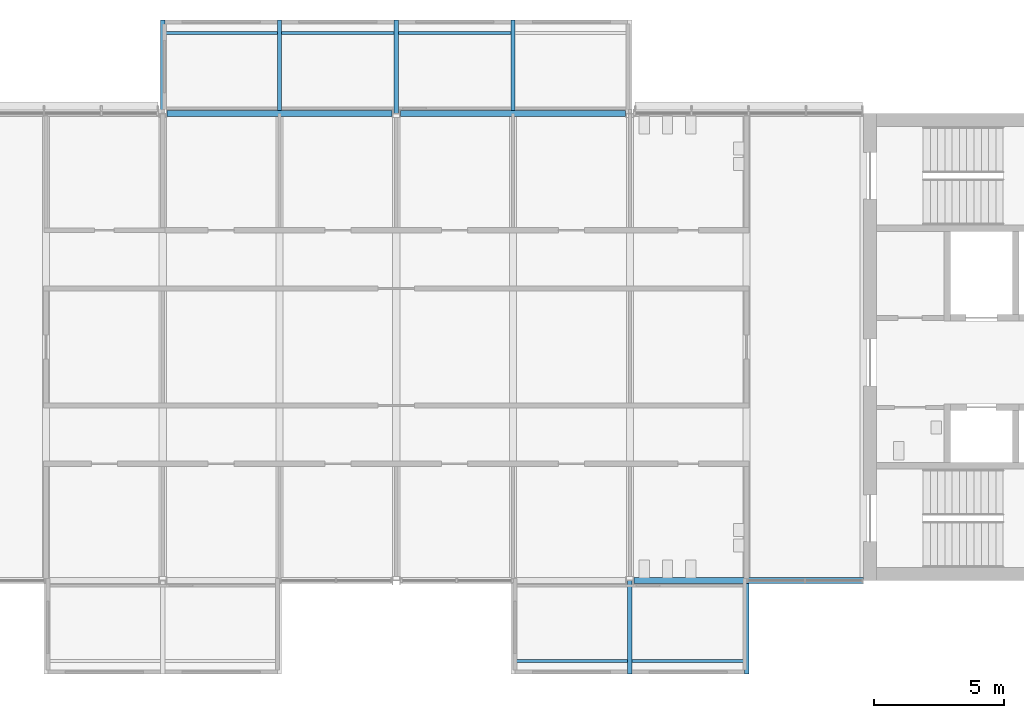
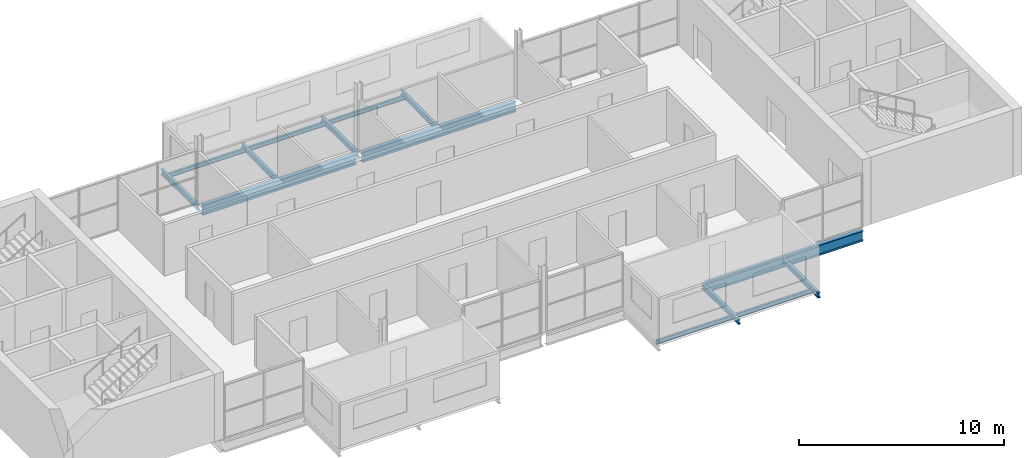
# One storey, part 2 of 10: 14 beams.
"""IFC4 building model written with IfcOpenShell, lengths in metres."""

from ifc_helpers import new_model, si_unit, direction, frame, origin, origin_2d, place, context, subcontext, project, spatial, i_section, extrude, material, material_profile, profile_set, type_object, element, save


model = new_model("IFC4")

# Units and contexts
model_context = context("Model", 3, precision=1e-05, world=origin(), true_north=direction((0.0, 1.0)))
body_context = subcontext(model_context, "Body", "Model", "MODEL_VIEW")
ifc_project = project(units=[si_unit("LENGTHUNIT", "METRE"), si_unit("AREAUNIT", "SQUARE_METRE"), si_unit("VOLUMEUNIT", "CUBIC_METRE"), si_unit("PLANEANGLEUNIT", "RADIAN"), si_unit("MASSUNIT", "GRAM", prefix="KILO")], contexts=[model_context])

# Site, building, storey
site_placement = place(None, origin())
site = spatial("IfcSite", under=ifc_project, at=site_placement, CompositionType="ELEMENT")
building_placement = place(site_placement, origin())
building = spatial("IfcBuilding", under=site, at=building_placement, Name="Corbel Yard City Hall", CompositionType="ELEMENT")
storey_placement = place(building_placement, frame((0.0, 0.0, 63.199951171875)))
storey = spatial("IfcBuildingStorey", under=building, at=storey_placement, Name="L15", CompositionType="ELEMENT", Elevation=63.199951171875)

# Beams
ifc_material = material(Name="Steel Grade 300 (300 MPa yield)", Category="steel")
ifc_material_profile_1 = material_profile(ifc_material, i_section(OverallWidth=0.22900390625, OverallDepth=0.612060546875, WebThickness=0.011962890625, FlangeThickness=0.01953125, at=origin_2d()), Name="610UB125")
ifc_profile_set_1 = profile_set([ifc_material_profile_1], Name="Steel Grade 300 (300 MPa yield)")
beam_type_1 = type_object("IfcBeamType", Name="Edge beam 610UB125", PredefinedType="BEAM", material=ifc_profile_set_1)
beam_1_placement = place(storey_placement, frame((36.16357421875, 99.0, -0.4560546875), z_axis=(1.0, 0.0, 0.0), x_axis=(0.0, 1.0, 0.0)))
element("IfcBeam", 1, at=beam_1_placement, inside=storey, type_object=beam_type_1, Name="Edge beam 610UB125 EB7 L15tower", PredefinedType="BEAM", context=body_context, shape_type="SweptSolid", body=[
    extrude(i_section(OverallWidth=0.22900390625, OverallDepth=0.612060546875, WebThickness=0.011962890625, FlangeThickness=0.01953125, at=origin_2d()), origin(), (0.0, 0.0, 1.0), 8.83642578125),
])
for number, where, z_axis, x_axis, name in (
    (2, (18.16357421875, 117.0, -0.4560546875), (1.0, 0.0, 0.0), (0.0, 1.0, 0.0), "Edge beam 610UB125 EB7 L15tower"),
    (3, (27.16357421875, 117.0, -0.4560546875), (1.0, 0.0, 0.0), (0.0, 1.0, 0.0), "Edge beam 610UB125 EB7 L15tower"),
):
    element("IfcBeam", number, at=place(storey_placement, frame(where, z_axis=z_axis, x_axis=x_axis)), inside=storey, type_object=beam_type_1, Name=name, PredefinedType="BEAM", context=body_context, shape_type="SweptSolid", body=[
        extrude(i_section(OverallWidth=0.22900390625, OverallDepth=0.612060546875, WebThickness=0.011962890625, FlangeThickness=0.01953125, at=origin_2d()), origin(), (0.0, 0.0, 1.0), 8.6728515625),
    ])
ifc_material_profile_2 = material_profile(ifc_material, i_section(OverallWidth=0.166015625, OverallDepth=0.306884765625, WebThickness=0.006591796875, FlangeThickness=0.01171875, at=origin_2d()), Name="310UB46.2")
ifc_profile_set_2 = profile_set([ifc_material_profile_2], Name="Steel Grade 300 (300 MPa yield)")
beam_type_2 = type_object("IfcBeamType", Name="Pod stub beam 310UB46.2", PredefinedType="BEAM", material=ifc_profile_set_2)
beam_2_placement = place(storey_placement, frame((36.0, 95.39990234375, -0.303466796875), z_axis=(0.0, 1.0, 0.0), x_axis=(-1.0, 0.0, 0.0)))
element("IfcBeam", 4, at=beam_2_placement, inside=storey, type_object=beam_type_2, Name="Pod stub 310UB46.2 CB1 L15", PredefinedType="BEAM", context=body_context, shape_type="SweptSolid", body=[
    extrude(i_section(OverallWidth=0.166015625, OverallDepth=0.306884765625, WebThickness=0.006591796875, FlangeThickness=0.01171875, at=origin_2d()), origin(), (0.0, 0.0, 1.0), 3.59423828125),
])
beam_3_placement = place(storey_placement, frame((40.5, 95.39990234375, -0.303466796875), z_axis=(0.0, 1.0, 0.0), x_axis=(-1.0, 0.0, 0.0)))
element("IfcBeam", 5, at=beam_3_placement, inside=storey, type_object=beam_type_2, Name="Pod stub 310UB46.2 CB1 L15", PredefinedType="BEAM", context=body_context, shape_type="SweptSolid", body=[
    extrude(i_section(OverallWidth=0.166015625, OverallDepth=0.306884765625, WebThickness=0.006591796875, FlangeThickness=0.01171875, at=origin_2d()), origin(), (0.0, 0.0, 1.0), 3.485595703125),
])
beam_4_placement = place(storey_placement, frame((18.0, 117.005859375, -0.303466796875), z_axis=(0.0, 1.0, 0.0), x_axis=(-1.0, 0.0, 0.0)))
element("IfcBeam", 6, at=beam_4_placement, inside=storey, type_object=beam_type_2, Name="Pod stub 310UB46.2 CB1 L15", PredefinedType="BEAM", context=body_context, shape_type="SweptSolid", body=[
    extrude(i_section(OverallWidth=0.166015625, OverallDepth=0.306884765625, WebThickness=0.006591796875, FlangeThickness=0.01171875, at=origin_2d()), origin(), (0.0, 0.0, 1.0), 3.59423828125),
])
beam_5_placement = place(storey_placement, frame((22.5, 117.114501953125, -0.303466796875), z_axis=(0.0, 1.0, 0.0), x_axis=(-1.0, 0.0, 0.0)))
element("IfcBeam", 7, at=beam_5_placement, inside=storey, type_object=beam_type_2, Name="Pod stub 310UB46.2 CB1 L15", PredefinedType="BEAM", context=body_context, shape_type="SweptSolid", body=[
    extrude(i_section(OverallWidth=0.166015625, OverallDepth=0.306884765625, WebThickness=0.006591796875, FlangeThickness=0.01171875, at=origin_2d()), origin(), (0.0, 0.0, 1.0), 3.485595703125),
])
beam_6_placement = place(storey_placement, frame((27.0, 117.005859375, -0.303466796875), z_axis=(0.0, 1.0, 0.0), x_axis=(-1.0, 0.0, 0.0)))
element("IfcBeam", 8, at=beam_6_placement, inside=storey, type_object=beam_type_2, Name="Pod stub 310UB46.2 CB1 L15", PredefinedType="BEAM", context=body_context, shape_type="SweptSolid", body=[
    extrude(i_section(OverallWidth=0.166015625, OverallDepth=0.306884765625, WebThickness=0.006591796875, FlangeThickness=0.01171875, at=origin_2d()), origin(), (0.0, 0.0, 1.0), 3.59423828125),
])
beam_7_placement = place(storey_placement, frame((31.5, 117.114501953125, -0.303466796875), z_axis=(0.0, 1.0, 0.0), x_axis=(-1.0, 0.0, 0.0)))
element("IfcBeam", 9, at=beam_7_placement, inside=storey, type_object=beam_type_2, Name="Pod stub 310UB46.2 CB1 L15", PredefinedType="BEAM", context=body_context, shape_type="SweptSolid", body=[
    extrude(i_section(OverallWidth=0.166015625, OverallDepth=0.306884765625, WebThickness=0.006591796875, FlangeThickness=0.01171875, at=origin_2d()), origin(), (0.0, 0.0, 1.0), 3.485595703125),
])
ifc_material_profile_3 = material_profile(ifc_material, i_section(OverallWidth=0.1240234375, OverallDepth=0.248046875, WebThickness=0.0048828125, FlangeThickness=0.008056640625, at=origin_2d()), Name="250UB25.7")
ifc_profile_set_3 = profile_set([ifc_material_profile_3], Name="Steel Grade 300 (300 MPa yield)")
beam_type_3 = type_object("IfcBeamType", Name="Pod tip beam", PredefinedType="BEAM", material=ifc_profile_set_3)
for number, where, z_axis, x_axis, name in (
    (10, (31.5830078125, 95.89990234375, -0.27392578125), (1.0, 0.0, 0.0), (0.0, 1.0, 0.0), "Pod tip beam"),
    (11, (36.0830078125, 95.89990234375, -0.27392578125), (1.0, 0.0, 0.0), (0.0, 1.0, 0.0), "Pod tip beam"),
    (12, (18.0830078125, 120.10009765625, -0.27392578125), (1.0, 0.0, 0.0), (0.0, 1.0, 0.0), "Pod tip beam"),
    (13, (22.5830078125, 120.10009765625, -0.27392578125), (1.0, 0.0, 0.0), (0.0, 1.0, 0.0), "Pod tip beam"),
    (14, (27.0830078125, 120.10009765625, -0.27392578125), (1.0, 0.0, 0.0), (0.0, 1.0, 0.0), "Pod tip beam"),
):
    element("IfcBeam", number, at=place(storey_placement, frame(where, z_axis=z_axis, x_axis=x_axis)), inside=storey, type_object=beam_type_3, Name=name, PredefinedType="BEAM", context=body_context, shape_type="SweptSolid", body=[
        extrude(i_section(OverallWidth=0.1240234375, OverallDepth=0.248046875, WebThickness=0.0048828125, FlangeThickness=0.008056640625, at=origin_2d()), origin(), (0.0, 0.0, 1.0), 4.333984375),
    ])

save(model, "model.ifc")
